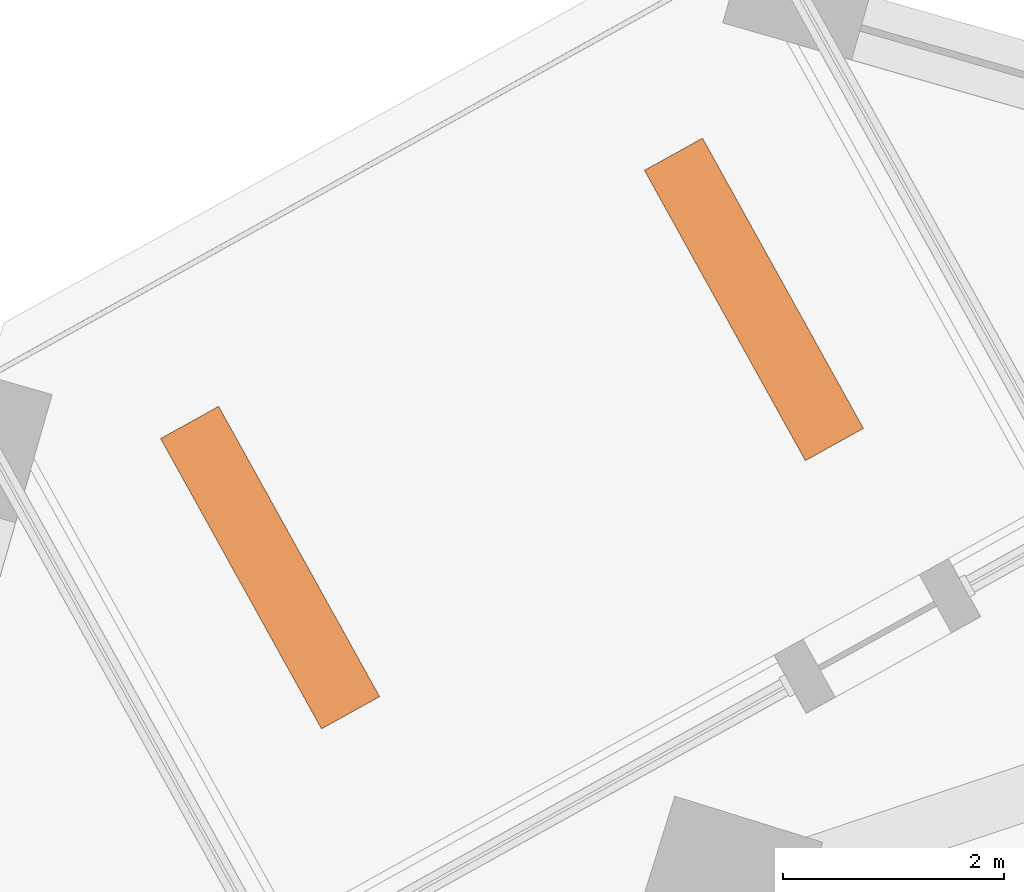
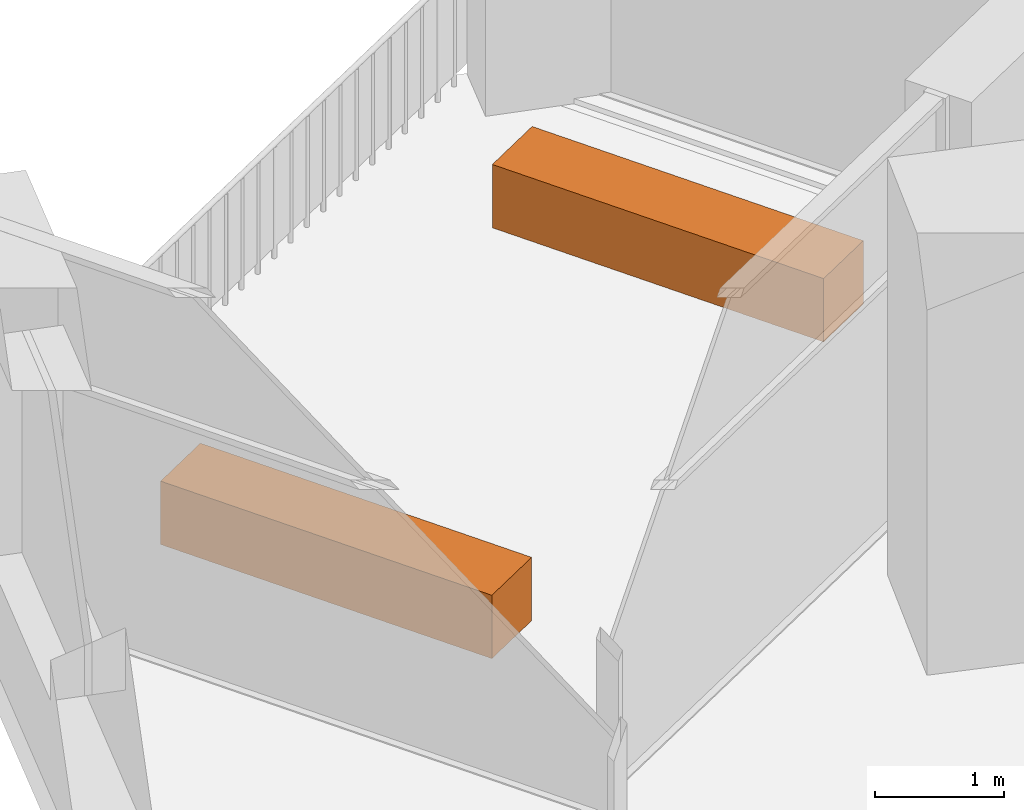
# One storey, part 15 of 15: 2 proxies.
"""IFC4 building model written with IfcOpenShell, lengths in metres."""

from ifc_helpers import new_model, si_unit, direction, frame, origin, origin_2d, place, context, subcontext, project, spatial, rectangle, extrude, element, save


model = new_model("IFC4")

# Units and contexts
model_context = context("Model", 3, precision=1e-05, world=origin(), true_north=direction((0.0, 1.0)))
body_context = subcontext(model_context, "Body", "Model", "MODEL_VIEW")
ifc_project = project(units=[si_unit("LENGTHUNIT", "METRE"), si_unit("AREAUNIT", "SQUARE_METRE"), si_unit("VOLUMEUNIT", "CUBIC_METRE"), si_unit("PLANEANGLEUNIT", "RADIAN"), si_unit("MASSUNIT", "GRAM", prefix="KILO")], contexts=[model_context])

# Site, building, storey
site_placement = place(None, origin())
site = spatial("IfcSite", under=ifc_project, at=site_placement, CompositionType="ELEMENT")
building_placement = place(site_placement, origin())
building = spatial("IfcBuilding", under=site, at=building_placement, Name="Dilmun Exchange Tower", CompositionType="ELEMENT")
storey_placement = place(building_placement, frame((0.0, 0.0, 328.5)))
storey = spatial("IfcBuildingStorey", under=building, at=storey_placement, Name="L78", CompositionType="ELEMENT", Elevation=328.5)

# Proxies
for number, where, z_axis, x_axis, name in (
    (1, (-12.281494140625, 31.6884765625, 0.0), (0.0, 0.0, 1.0), (-0.484809620246, 0.874619707139, 0.0), "PLANTER Ghaf tree L78.1"),
    (2, (-16.654541015625, 29.264404296875, 0.0), (0.0, 0.0, 1.0), (-0.484809620246, 0.874619707139, 0.0), "PLANTER Ghaf tree L78.2"),
):
    element("IfcBuildingElementProxy", number, at=place(storey_placement, frame(where, z_axis=z_axis, x_axis=x_axis)), inside=storey, Name=name, ObjectType="PLANTER", PredefinedType="USERDEFINED", context=body_context, shape_type="SweptSolid", body=[
        extrude(rectangle(XDim=3.0, YDim=0.60009765625, at=origin_2d()), origin(), (0.0, 0.0, 1.0), 0.60009765625),
    ])

save(model, "model.ifc")
